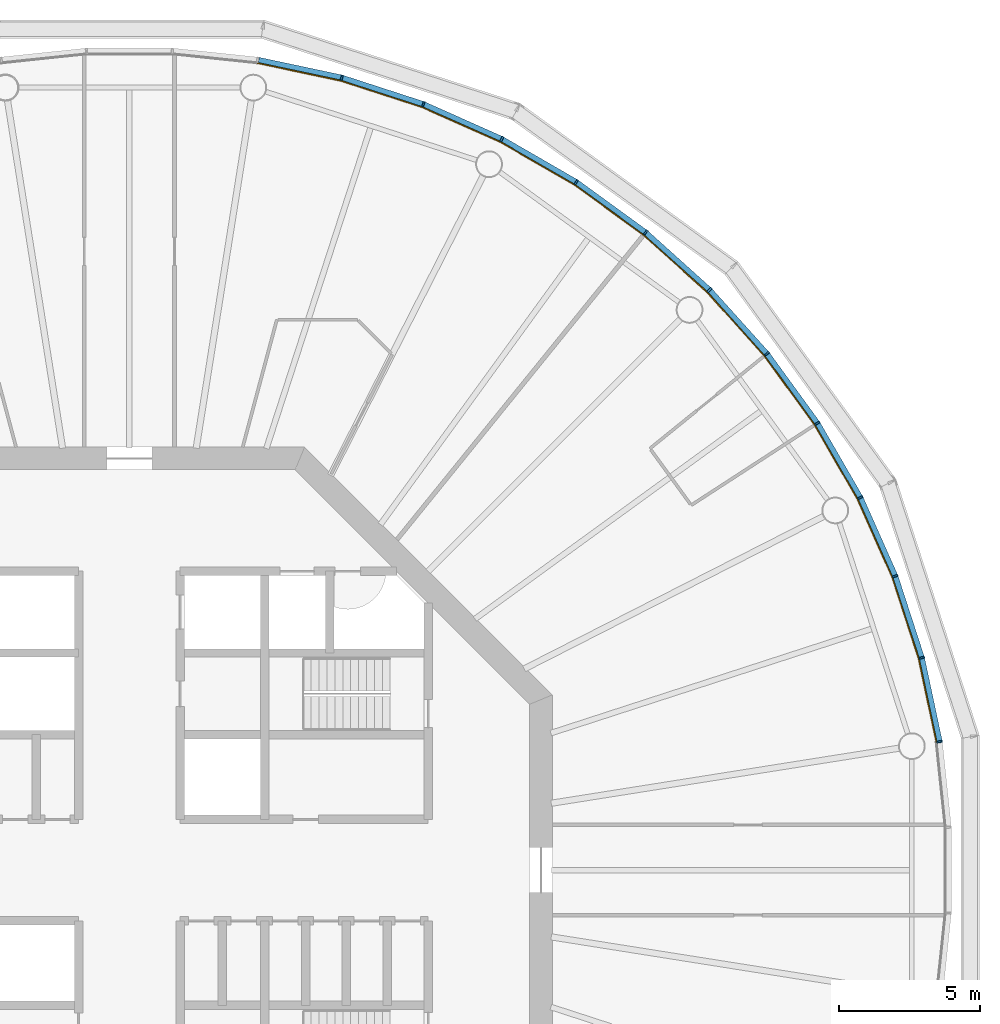
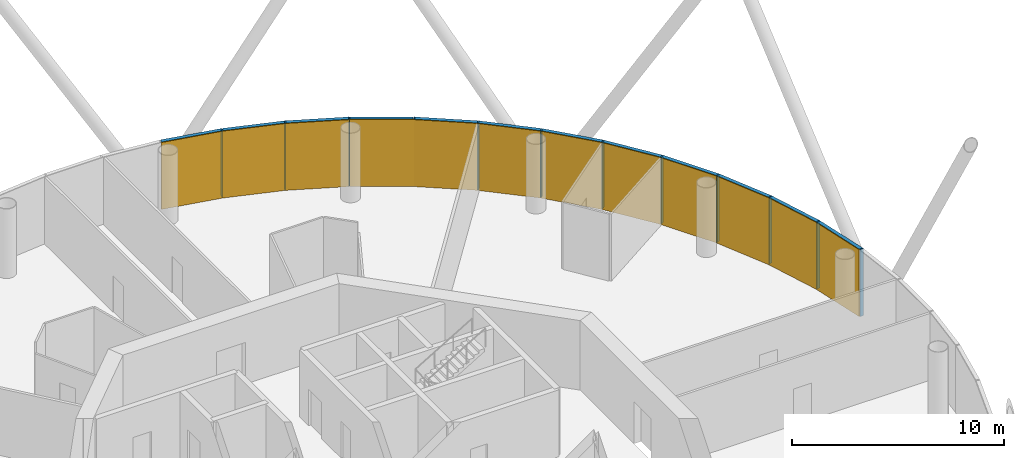
# One storey, part 12 of 13: 24 members, 4 curtain walls.
"""IFC4 building model written with IfcOpenShell, lengths in metres."""

from ifc_helpers import new_model, si_unit, direction, frame, origin, origin_2d, place, context, subcontext, project, spatial, polyline, rectangle, outline, extrude, material, layer, layer_set, material_profile, profile_set, type_object, element, aggregate, save


model = new_model("IFC4")

# Units and contexts
model_context = context("Model", 3, precision=1e-05, world=origin(), true_north=direction((0.0, 1.0)))
body_context = subcontext(model_context, "Body", "Model", "MODEL_VIEW")
ifc_project = project(units=[si_unit("LENGTHUNIT", "METRE"), si_unit("AREAUNIT", "SQUARE_METRE"), si_unit("VOLUMEUNIT", "CUBIC_METRE"), si_unit("PLANEANGLEUNIT", "RADIAN"), si_unit("MASSUNIT", "GRAM", prefix="KILO")], contexts=[model_context])

# Member
ifc_material_1 = material(Name="Anodised aluminium", Category="aluminium")
ifc_material_profile_1 = material_profile(ifc_material_1, rectangle(XDim=0.06494140625, YDim=0.195068359375, at=origin_2d()), Name="Mullion 65 x 195 mm anodised aluminium")
ifc_profile_set_1 = profile_set([ifc_material_profile_1], Name="Anodised aluminium")
member_type_1 = type_object("IfcMemberType", Name="Mullion 65 x 195 mm anodised aluminium", PredefinedType="MULLION", material=ifc_profile_set_1)
site_placement = place(None, origin())
building_placement = place(site_placement, origin())
storey_placement = place(building_placement, frame((0.0, 0.0, 294.0)))
member_1_placement = place(storey_placement, frame((118.7392578125, 84.5517578125, 0.0), z_axis=(0.0, 0.0, 1.0), x_axis=(-0.15643446504, 0.987688340595, 0.0)))
member_1 = element("IfcMember", 1, at=member_1_placement, type_object=member_type_1, Name="MULLION L67-00", PredefinedType="MULLION", context=body_context, shape_type="SweptSolid", body=[
    extrude(rectangle(XDim=0.06494140625, YDim=0.195068359375, at=origin_2d()), origin(), (0.0, 0.0, 1.0), 3.85009765625),
])

member_2_placement = place(storey_placement, frame((118.10595703125, 87.531005859375, 0.0), z_axis=(0.0, 0.0, 1.0), x_axis=(-0.258819045103, 0.965925826289, 0.0)))
member_2 = element("IfcMember", 2, at=member_2_placement, type_object=member_type_1, Name="MULLION L67-01", PredefinedType="MULLION", context=body_context, shape_type="SweptSolid", body=[
    extrude(rectangle(XDim=0.06494140625, YDim=0.195068359375, at=origin_2d()), origin(), (0.0, 0.0, 1.0), 3.85009765625),
])

member_3_placement = place(storey_placement, frame((117.164794921875, 90.427490234375, 0.0), z_axis=(0.0, 0.0, 1.0), x_axis=(-0.358367949545, 0.933580426497, 0.0)))
member_3 = element("IfcMember", 3, at=member_3_placement, type_object=member_type_1, Name="MULLION L67-02", PredefinedType="MULLION", context=body_context, shape_type="SweptSolid", body=[
    extrude(rectangle(XDim=0.06494140625, YDim=0.195068359375, at=origin_2d()), origin(), (0.0, 0.0, 1.0), 3.85009765625),
])

member_4_placement = place(storey_placement, frame((115.926025390625, 93.2099609375, 0.0), z_axis=(0.0, 0.0, 1.0), x_axis=(-0.45399049974, 0.891006524188, 0.0)))
member_4 = element("IfcMember", 4, at=member_4_placement, type_object=member_type_1, Name="MULLION L67-03", PredefinedType="MULLION", context=body_context, shape_type="SweptSolid", body=[
    extrude(rectangle(XDim=0.06494140625, YDim=0.195068359375, at=origin_2d()), origin(), (0.0, 0.0, 1.0), 3.85009765625),
])

member_5_placement = place(storey_placement, frame((114.4033203125, 95.84765625, 0.0), z_axis=(0.0, 0.0, 1.0), x_axis=(-0.544639035015, 0.838670567945, 0.0)))
member_5 = element("IfcMember", 5, at=member_5_placement, type_object=member_type_1, Name="MULLION L67-04", PredefinedType="MULLION", context=body_context, shape_type="SweptSolid", body=[
    extrude(rectangle(XDim=0.06494140625, YDim=0.195068359375, at=origin_2d()), origin(), (0.0, 0.0, 1.0), 3.85009765625),
])

member_6_placement = place(storey_placement, frame((112.613037109375, 98.311767578125, 0.0), z_axis=(0.0, 0.0, 1.0), x_axis=(-0.62932039105, 0.777145961457, 0.0)))
member_6 = element("IfcMember", 6, at=member_6_placement, type_object=member_type_1, Name="MULLION L67-05", PredefinedType="MULLION", context=body_context, shape_type="SweptSolid", body=[
    extrude(rectangle(XDim=0.06494140625, YDim=0.195068359375, at=origin_2d()), origin(), (0.0, 0.0, 1.0), 3.85009765625),
])

member_7_placement = place(storey_placement, frame((110.574951171875, 100.574951171875, 0.0), z_axis=(0.0, 0.0, 1.0), x_axis=(-0.707106781187, 0.707106781187, 0.0)))
member_7 = element("IfcMember", 7, at=member_7_placement, type_object=member_type_1, Name="MULLION L67-06", PredefinedType="MULLION", context=body_context, shape_type="SweptSolid", body=[
    extrude(rectangle(XDim=0.06494140625, YDim=0.195068359375, at=origin_2d()), origin(), (0.0, 0.0, 1.0), 3.85009765625),
])

member_8_placement = place(storey_placement, frame((108.311767578125, 102.613037109375, 0.0), z_axis=(0.0, 0.0, 1.0), x_axis=(-0.777145961457, 0.62932039105, 0.0)))
member_8 = element("IfcMember", 8, at=member_8_placement, type_object=member_type_1, Name="MULLION L67-07", PredefinedType="MULLION", context=body_context, shape_type="SweptSolid", body=[
    extrude(rectangle(XDim=0.06494140625, YDim=0.195068359375, at=origin_2d()), origin(), (0.0, 0.0, 1.0), 3.85009765625),
])

member_9_placement = place(storey_placement, frame((105.84765625, 104.4033203125, 0.0), z_axis=(0.0, 0.0, 1.0), x_axis=(-0.838670567945, 0.544639035015, 0.0)))
member_9 = element("IfcMember", 9, at=member_9_placement, type_object=member_type_1, Name="MULLION L67-08", PredefinedType="MULLION", context=body_context, shape_type="SweptSolid", body=[
    extrude(rectangle(XDim=0.06494140625, YDim=0.195068359375, at=origin_2d()), origin(), (0.0, 0.0, 1.0), 3.85009765625),
])

member_10_placement = place(storey_placement, frame((103.2099609375, 105.926025390625, 0.0), z_axis=(0.0, 0.0, 1.0), x_axis=(-0.891006524188, 0.45399049974, 0.0)))
member_10 = element("IfcMember", 10, at=member_10_placement, type_object=member_type_1, Name="MULLION L67-09", PredefinedType="MULLION", context=body_context, shape_type="SweptSolid", body=[
    extrude(rectangle(XDim=0.06494140625, YDim=0.195068359375, at=origin_2d()), origin(), (0.0, 0.0, 1.0), 3.85009765625),
])

member_11_placement = place(storey_placement, frame((100.427490234375, 107.164794921875, 0.0), z_axis=(0.0, 0.0, 1.0), x_axis=(-0.933580426497, 0.358367949545, 0.0)))
member_11 = element("IfcMember", 11, at=member_11_placement, type_object=member_type_1, Name="MULLION L67-10", PredefinedType="MULLION", context=body_context, shape_type="SweptSolid", body=[
    extrude(rectangle(XDim=0.06494140625, YDim=0.195068359375, at=origin_2d()), origin(), (0.0, 0.0, 1.0), 3.85009765625),
])

member_12_placement = place(storey_placement, frame((97.531005859375, 108.10595703125, 0.0), z_axis=(0.0, 0.0, 1.0), x_axis=(-0.965925826289, 0.258819045103, 0.0)))
member_12 = element("IfcMember", 12, at=member_12_placement, type_object=member_type_1, Name="MULLION L67-11", PredefinedType="MULLION", context=body_context, shape_type="SweptSolid", body=[
    extrude(rectangle(XDim=0.06494140625, YDim=0.195068359375, at=origin_2d()), origin(), (0.0, 0.0, 1.0), 3.85009765625),
])

ifc_material_2 = material(Name="Anodised aluminium", Category="aluminium")
ifc_material_profile_2 = material_profile(ifc_material_2, rectangle(XDim=0.195068359375, YDim=0.179931640625, at=origin_2d()), Name="Transom 180 x 195 mm anodised aluminium")
ifc_profile_set_2 = profile_set([ifc_material_profile_2], Name="Anodised aluminium")
member_type_2 = type_object("IfcMemberType", Name="Transom 180 x 195 mm anodised aluminium", PredefinedType="USERDEFINED", material=ifc_profile_set_2)
member_13_placement = place(storey_placement, frame((118.731689453125, 84.588623046875, 3.760009765625), z_axis=(-0.207940342877, 0.978141510112, 0.0), x_axis=(-0.978141510112, -0.207940342877, 0.0)))
member_13 = element("IfcMember", 13, at=member_13_placement, type_object=member_type_2, Name="TRANSOM L67-00", ObjectType="TRANSOM", PredefinedType="USERDEFINED", context=body_context, shape_type="SweptSolid", body=[
    extrude(rectangle(XDim=0.195068359375, YDim=0.179931640625, at=origin_2d()), origin(), (0.0, 0.0, 1.0), 2.970458984375),
])

member_14_placement = place(storey_placement, frame((118.094482421875, 87.56689453125, 3.760009765625), z_axis=(-0.309043326415, 0.951047960094, 0.0), x_axis=(-0.951047960094, -0.309043326415, 0.0)))
member_14 = element("IfcMember", 14, at=member_14_placement, type_object=member_type_2, Name="TRANSOM L67-01", ObjectType="TRANSOM", PredefinedType="USERDEFINED", context=body_context, shape_type="SweptSolid", body=[
    extrude(rectangle(XDim=0.195068359375, YDim=0.179931640625, at=origin_2d()), origin(), (0.0, 0.0, 1.0), 2.970458984375),
])

member_15_placement = place(storey_placement, frame((117.149658203125, 90.4619140625, 3.760009765625), z_axis=(-0.406725527369, 0.913550406593, 0.0), x_axis=(-0.913550406593, -0.406725527369, 0.0)))
member_15 = element("IfcMember", 15, at=member_15_placement, type_object=member_type_2, Name="TRANSOM L67-02", ObjectType="TRANSOM", PredefinedType="USERDEFINED", context=body_context, shape_type="SweptSolid", body=[
    extrude(rectangle(XDim=0.195068359375, YDim=0.179931640625, at=origin_2d()), origin(), (0.0, 0.0, 1.0), 2.970703125),
])

member_16_placement = place(storey_placement, frame((115.907470703125, 93.24267578125, 3.760009765625), z_axis=(-0.500028367561, 0.866009025146, 0.0), x_axis=(-0.866009025146, -0.500028367561, 0.0)))
member_16 = element("IfcMember", 16, at=member_16_placement, type_object=member_type_2, Name="TRANSOM L67-03", ObjectType="TRANSOM", PredefinedType="USERDEFINED", context=body_context, shape_type="SweptSolid", body=[
    extrude(rectangle(XDim=0.195068359375, YDim=0.179931640625, at=origin_2d()), origin(), (0.0, 0.0, 1.0), 2.970458984375),
])

member_17_placement = place(storey_placement, frame((114.381103515625, 95.878173828125, 3.760009765625), z_axis=(-0.587765987476, 0.809030990733, 0.0), x_axis=(-0.809030990733, -0.587765987476, 0.0)))
member_17 = element("IfcMember", 17, at=member_17_placement, type_object=member_type_2, Name="TRANSOM L67-04", ObjectType="TRANSOM", PredefinedType="USERDEFINED", context=body_context, shape_type="SweptSolid", body=[
    extrude(rectangle(XDim=0.195068359375, YDim=0.179931640625, at=origin_2d()), origin(), (0.0, 0.0, 1.0), 2.97021484375),
])

member_18_placement = place(storey_placement, frame((112.587890625, 98.339599609375, 3.760009765625), z_axis=(-0.669110027395, 0.743163354343, 0.0), x_axis=(-0.743163354343, -0.669110027395, 0.0)))
member_18 = element("IfcMember", 18, at=member_18_placement, type_object=member_type_2, Name="TRANSOM L67-05", ObjectType="TRANSOM", PredefinedType="USERDEFINED", context=body_context, shape_type="SweptSolid", body=[
    extrude(rectangle(XDim=0.195068359375, YDim=0.179931640625, at=origin_2d()), origin(), (0.0, 0.0, 1.0), 2.970458984375),
])

member_19_placement = place(storey_placement, frame((110.547119140625, 100.600341796875, 3.760009765625), z_axis=(-0.743163354343, 0.669110027395, 0.0), x_axis=(-0.669110027395, -0.743163354343, 0.0)))
member_19 = element("IfcMember", 19, at=member_19_placement, type_object=member_type_2, Name="TRANSOM L67-06", ObjectType="TRANSOM", PredefinedType="USERDEFINED", context=body_context, shape_type="SweptSolid", body=[
    extrude(rectangle(XDim=0.195068359375, YDim=0.179931640625, at=origin_2d()), origin(), (0.0, 0.0, 1.0), 2.970458984375),
])

member_20_placement = place(storey_placement, frame((108.28125, 102.63525390625, 3.760009765625), z_axis=(-0.809030990733, 0.587765987476, 0.0), x_axis=(-0.587765987476, -0.809030990733, 0.0)))
member_20 = element("IfcMember", 20, at=member_20_placement, type_object=member_type_2, Name="TRANSOM L67-07", ObjectType="TRANSOM", PredefinedType="USERDEFINED", context=body_context, shape_type="SweptSolid", body=[
    extrude(rectangle(XDim=0.195068359375, YDim=0.179931640625, at=origin_2d()), origin(), (0.0, 0.0, 1.0), 2.97021484375),
])

member_21_placement = place(storey_placement, frame((105.815185546875, 104.422119140625, 3.760009765625), z_axis=(-0.866009025146, 0.500028367561, 0.0), x_axis=(-0.500028367561, -0.866009025146, 0.0)))
member_21 = element("IfcMember", 21, at=member_21_placement, type_object=member_type_2, Name="TRANSOM L67-08", ObjectType="TRANSOM", PredefinedType="USERDEFINED", context=body_context, shape_type="SweptSolid", body=[
    extrude(rectangle(XDim=0.195068359375, YDim=0.179931640625, at=origin_2d()), origin(), (0.0, 0.0, 1.0), 2.970458984375),
])

member_22_placement = place(storey_placement, frame((103.17578125, 105.94140625, 3.760009765625), z_axis=(-0.913550406593, 0.406725527369, 0.0), x_axis=(-0.406725527369, -0.913550406593, 0.0)))
member_22 = element("IfcMember", 22, at=member_22_placement, type_object=member_type_2, Name="TRANSOM L67-09", ObjectType="TRANSOM", PredefinedType="USERDEFINED", context=body_context, shape_type="SweptSolid", body=[
    extrude(rectangle(XDim=0.195068359375, YDim=0.179931640625, at=origin_2d()), origin(), (0.0, 0.0, 1.0), 2.970703125),
])

member_23_placement = place(storey_placement, frame((100.391845703125, 107.176513671875, 3.760009765625), z_axis=(-0.951047960094, 0.309043326415, 0.0), x_axis=(-0.309043326415, -0.951047960094, 0.0)))
member_23 = element("IfcMember", 23, at=member_23_placement, type_object=member_type_2, Name="TRANSOM L67-10", ObjectType="TRANSOM", PredefinedType="USERDEFINED", context=body_context, shape_type="SweptSolid", body=[
    extrude(rectangle(XDim=0.195068359375, YDim=0.179931640625, at=origin_2d()), origin(), (0.0, 0.0, 1.0), 2.970458984375),
])

member_24_placement = place(storey_placement, frame((97.494140625, 108.114013671875, 3.760009765625), z_axis=(-0.978141510112, 0.207940342877, 0.0), x_axis=(-0.207940342877, -0.978141510112, 0.0)))
member_24 = element("IfcMember", 24, at=member_24_placement, type_object=member_type_2, Name="TRANSOM L67-11", ObjectType="TRANSOM", PredefinedType="USERDEFINED", context=body_context, shape_type="SweptSolid", body=[
    extrude(rectangle(XDim=0.195068359375, YDim=0.179931640625, at=origin_2d()), origin(), (0.0, 0.0, 1.0), 2.970458984375),
])

# Site, building, storey
site = spatial("IfcSite", under=ifc_project, at=site_placement, CompositionType="ELEMENT")
building = spatial("IfcBuilding", under=site, at=building_placement, Name="Entoto Ring Tower", CompositionType="ELEMENT")
storey = spatial("IfcBuildingStorey", under=building, at=storey_placement, Name="L67", CompositionType="ELEMENT", Elevation=294.0)

# Curtain wall
ifc_material_3 = material(Name="Clear low-iron glass", Category="glass")
ifc_layer = layer(ifc_material_3, 0.033935546875)
ifc_layer_set = layer_set([ifc_layer], Name="Clear low-iron glass")
curtain_wall_type = type_object("IfcCurtainWallType", Name="Curtain wall system CW5 glazing 34 mm", PredefinedType="NOTDEFINED", material=ifc_layer_set)
curtain_wall_1_placement = place(storey_placement, origin())
curtain_wall_1 = element("IfcCurtainWall", 25, at=curtain_wall_1_placement, inside=storey, type_object=curtain_wall_type, Name="CW5 L67-01", PredefinedType="NOTDEFINED", context=body_context, shape_type="SweptSolid", body=[
    extrude(outline(polyline([(118.64306640625, 84.53662109375), (118.011962890625, 87.505859375), (117.07373046875, 90.392578125), (115.839111328125, 93.165771484375), (115.808837890625, 93.150146484375), (117.0419921875, 90.38037109375), (117.97900390625, 87.496826171875), (118.609375, 84.53125), (118.64306640625, 84.53662109375)])), origin(), (0.0, 0.0, 1.0), 3.85009765625),
])

aggregate(curtain_wall_1, [member_1, member_2, member_3, member_13, member_14, member_15])

curtain_wall_2_placement = place(storey_placement, origin())
curtain_wall_2 = element("IfcCurtainWall", 26, at=curtain_wall_2_placement, inside=storey, type_object=curtain_wall_type, Name="CW5 L67-02", PredefinedType="NOTDEFINED", context=body_context, shape_type="SweptSolid", body=[
    extrude(outline(polyline([(115.839111328125, 93.165771484375), (114.321533203125, 95.79443359375), (112.537353515625, 98.250244140625), (110.506103515625, 100.506103515625), (110.48193359375, 100.48193359375), (112.5107421875, 98.228759765625), (114.29296875, 95.77587890625), (115.808837890625, 93.150146484375), (115.839111328125, 93.165771484375)])), origin(), (0.0, 0.0, 1.0), 3.85009765625),
])

aggregate(curtain_wall_2, [member_4, member_5, member_6, member_16, member_17, member_18])

curtain_wall_3_placement = place(storey_placement, origin())
curtain_wall_3 = element("IfcCurtainWall", 27, at=curtain_wall_3_placement, inside=storey, type_object=curtain_wall_type, Name="CW5 L67-03", PredefinedType="NOTDEFINED", context=body_context, shape_type="SweptSolid", body=[
    extrude(outline(polyline([(110.506103515625, 100.506103515625), (108.250244140625, 102.537353515625), (105.79443359375, 104.321533203125), (103.165771484375, 105.839111328125), (103.150146484375, 105.808837890625), (105.77587890625, 104.29296875), (108.228759765625, 102.5107421875), (110.48193359375, 100.48193359375), (110.506103515625, 100.506103515625)])), origin(), (0.0, 0.0, 1.0), 3.85009765625),
])

aggregate(curtain_wall_3, [member_7, member_8, member_9, member_19, member_20, member_21])

curtain_wall_4_placement = place(storey_placement, origin())
curtain_wall_4 = element("IfcCurtainWall", 28, at=curtain_wall_4_placement, inside=storey, type_object=curtain_wall_type, Name="CW5 L67-04", PredefinedType="NOTDEFINED", context=body_context, shape_type="SweptSolid", body=[
    extrude(outline(polyline([(103.165771484375, 105.839111328125), (100.392578125, 107.07373046875), (97.505859375, 108.011962890625), (94.53662109375, 108.64306640625), (94.53125, 108.609375), (97.496826171875, 107.97900390625), (100.38037109375, 107.0419921875), (103.150146484375, 105.808837890625), (103.165771484375, 105.839111328125)])), origin(), (0.0, 0.0, 1.0), 3.85009765625),
])

aggregate(curtain_wall_4, [member_10, member_11, member_12, member_22, member_23, member_24])

save(model, "model.ifc")
